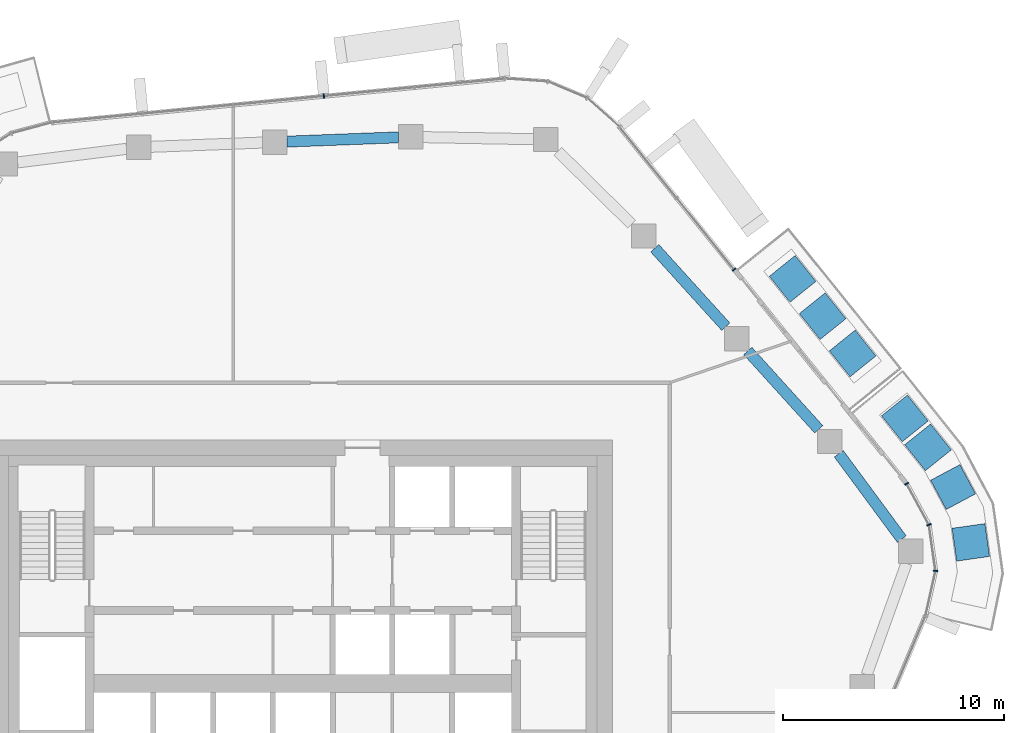
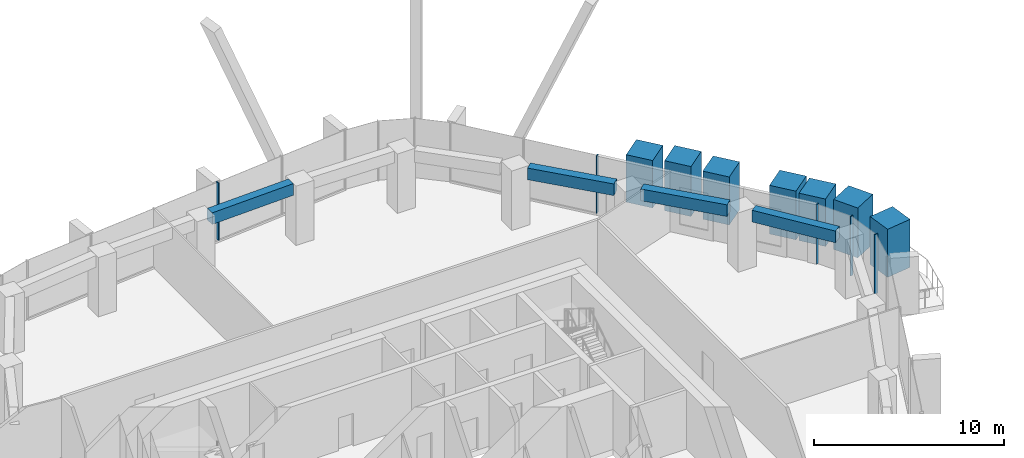
# One storey, part 8 of 20: 12 members, 4 beams, 3 elements without a shape of their own.
"""IFC4 building model written with IfcOpenShell, lengths in metres."""

from ifc_helpers import new_model, si_unit, direction, frame, origin, origin_2d, place, context, subcontext, project, spatial, rectangle, extrude, material, layer, layer_set, material_profile, profile_set, type_object, element, aggregate, save


model = new_model("IFC4")

# Units and contexts
model_context = context("Model", 3, precision=1e-05, world=origin(), true_north=direction((0.0, 1.0)))
body_context = subcontext(model_context, "Body", "Model", "MODEL_VIEW")
ifc_project = project(units=[si_unit("LENGTHUNIT", "METRE"), si_unit("AREAUNIT", "SQUARE_METRE"), si_unit("VOLUMEUNIT", "CUBIC_METRE"), si_unit("PLANEANGLEUNIT", "RADIAN"), si_unit("MASSUNIT", "GRAM", prefix="KILO")], contexts=[model_context])

# Site, building, storey
site_placement = place(None, origin())
site = spatial("IfcSite", under=ifc_project, at=site_placement, CompositionType="ELEMENT")
building_placement = place(site_placement, origin())
building = spatial("IfcBuilding", under=site, at=building_placement, Name="Dongbaek Canopy Tower", CompositionType="ELEMENT")
storey_placement = place(building_placement, frame((0.0, 0.0, 253.800048828125)))
storey = spatial("IfcBuildingStorey", under=building, at=storey_placement, Name="L53", CompositionType="ELEMENT", Elevation=253.800048828125)

# Curtain wall, members
ifc_material_1 = material(Name="Aluminium 6063-T6 pale anodised", Category="aluminium")
ifc_layer = layer(ifc_material_1, 0.199951171875)
ifc_layer_set = layer_set([ifc_layer], Name="CW-1 unitised tower curtain wall")
curtain_wall_type = type_object("IfcCurtainWallType", Name="CW-1 unitised tower curtain wall", PredefinedType="NOTDEFINED", material=ifc_layer_set)
curtain_wall_1_placement = place(storey_placement, origin())
curtain_wall_1 = element("IfcCurtainWall", 1, at=curtain_wall_1_placement, inside=storey, type_object=curtain_wall_type, Name="CW-1 curtain wall K0.1", PredefinedType="NOTDEFINED")
ifc_material_2 = material(Name="Aluminium 6063-T6 pale anodised", Category="aluminium")
ifc_material_profile_1 = material_profile(ifc_material_2, rectangle(XDim=0.199951171875, YDim=0.06005859375, at=origin_2d()), Name="CW-1 mullion 60 x 200")
ifc_profile_set_1 = profile_set([ifc_material_profile_1], Name="Aluminium 6063-T6 pale anodised")
member_type_1 = type_object("IfcMemberType", Name="CW-1 mullion 60 x 200", PredefinedType="MULLION", material=ifc_profile_set_1)
member_1_placement = place(storey_placement, frame((28.6083984375, 5.092529296875, 0.0), z_axis=(0.0, 0.0, 1.0), x_axis=(0.999216876817, -0.039568081642, 0.0)))
member_1 = element("IfcMember", 2, at=member_1_placement, type_object=member_type_1, Name="CW-1 mullion K0.1.2", PredefinedType="MULLION", context=body_context, shape_type="SweptSolid", body=[
    extrude(rectangle(XDim=0.199951171875, YDim=0.06005859375, at=origin_2d()), origin(), (0.0, 0.0, 1.0), 3.820068359375),
])
member_2_placement = place(storey_placement, frame((28.315673828125, 7.175537109375, 0.0), z_axis=(0.0, 0.0, 1.0), x_axis=(0.949557837382, 0.313591953765, 0.0)))
member_2 = element("IfcMember", 3, at=member_2_placement, type_object=member_type_1, Name="CW-1 mullion K0.1.3", PredefinedType="MULLION", context=body_context, shape_type="SweptSolid", body=[
    extrude(rectangle(XDim=0.199951171875, YDim=0.06005859375, at=origin_2d()), origin(), (0.0, 0.0, 1.0), 3.820068359375),
])
member_3_placement = place(storey_placement, frame((27.305908203125, 9.031494140625, 0.0), z_axis=(0.0, 0.0, 1.0), x_axis=(0.878420510508, 0.477888487745, 0.0)))
member_3 = element("IfcMember", 4, at=member_3_placement, type_object=member_type_1, Name="CW-1 mullion K0.1.4", PredefinedType="MULLION", context=body_context, shape_type="SweptSolid", body=[
    extrude(rectangle(XDim=0.199951171875, YDim=0.06005859375, at=origin_2d()), origin(), (0.0, 0.0, 1.0), 3.820068359375),
])
aggregate(curtain_wall_1, [member_1, member_2, member_3])

# Curtain wall, member
curtain_wall_2_placement = place(storey_placement, origin())
curtain_wall_2 = element("IfcCurtainWall", 5, at=curtain_wall_2_placement, inside=storey, type_object=curtain_wall_type, Name="CW-1 curtain wall F0.1", PredefinedType="NOTDEFINED")
member_4_placement = place(storey_placement, frame((19.51318359375, 18.717041015625, 0.119873046875), z_axis=(0.0, 0.0, 1.0), x_axis=(0.779126406475, 0.626866846096, 0.0)))
member_4 = element("IfcMember", 6, at=member_4_placement, type_object=member_type_1, Name="CW-1 mullion F0.1.1", PredefinedType="MULLION", context=body_context, shape_type="SweptSolid", body=[
    extrude(rectangle(XDim=0.199951171875, YDim=0.06005859375, at=origin_2d()), origin(), (0.0, 0.0, 1.0), 3.7001953125),
])
aggregate(curtain_wall_2, [member_4])

curtain_wall_3_placement = place(storey_placement, origin())
curtain_wall_3 = element("IfcCurtainWall", 7, at=curtain_wall_3_placement, inside=storey, type_object=curtain_wall_type, Name="CW-1 curtain wall F1.1", PredefinedType="NOTDEFINED")
member_5_placement = place(storey_placement, frame((0.955078125, 26.55859375, 0.119873046875), z_axis=(0.0, 0.0, 1.0), x_axis=(-0.096505718384, 0.995332430055, 0.0)))
member_5 = element("IfcMember", 8, at=member_5_placement, type_object=member_type_1, Name="CW-1 mullion F1.1.3", PredefinedType="MULLION", context=body_context, shape_type="SweptSolid", body=[
    extrude(rectangle(XDim=0.199951171875, YDim=0.06005859375, at=origin_2d()), origin(), (0.0, 0.0, 1.0), 3.7001953125),
])
aggregate(curtain_wall_3, [member_5])

# Beams
ifc_material_3 = material(Name="Concrete C70", Category="concrete")
ifc_material_profile_2 = material_profile(ifc_material_3, rectangle(XDim=0.5, YDim=0.75, at=origin_2d()), Name="RC EDGE BEAM 500x750 C70")
ifc_profile_set_2 = profile_set([ifc_material_profile_2], Name="Concrete C70")
beam_type = type_object("IfcBeamType", Name="RC EDGE BEAM 500x750 C70", PredefinedType="BEAM", material=ifc_profile_set_2)
beam_1_placement = place(storey_placement, frame((-0.716064453125, 24.5, 3.445068359375), z_axis=(0.999269359521, 0.038219721647, 0.0), x_axis=(-0.038219721647, 0.999269359521, 0.0)))
element("IfcBeam", 9, at=beam_1_placement, inside=storey, type_object=beam_type, Name="EDGEBEAM:L53:15", PredefinedType="BEAM", context=body_context, shape_type="SweptSolid", body=[
    extrude(rectangle(XDim=0.5, YDim=0.75, at=origin_2d()), origin(), (0.0, 0.0, 1.0), 5.052734375),
])
beam_2_placement = place(storey_placement, frame((15.916015625, 19.678955078125, 3.445068359375), z_axis=(0.671330225436, -0.741158369322, 0.0), x_axis=(0.741158369322, 0.671330225436, 0.0)))
element("IfcBeam", 10, at=beam_2_placement, inside=storey, type_object=beam_type, Name="EDGEBEAM:L53:18", PredefinedType="BEAM", context=body_context, shape_type="SweptSolid", body=[
    extrude(rectangle(XDim=0.5, YDim=0.75, at=origin_2d()), origin(), (0.0, 0.0, 1.0), 4.782958984375),
])
beam_3_placement = place(storey_placement, frame((20.123046875, 15.033935546875, 3.445068359375), z_axis=(0.671218045362, -0.741259964911, 0.0), x_axis=(0.741259964911, 0.671218045362, 0.0)))
element("IfcBeam", 11, at=beam_3_placement, inside=storey, type_object=beam_type, Name="EDGEBEAM:L53:19", PredefinedType="BEAM", context=body_context, shape_type="SweptSolid", body=[
    extrude(rectangle(XDim=0.5, YDim=0.75, at=origin_2d()), origin(), (0.0, 0.0, 1.0), 4.7822265625),
])
beam_4_placement = place(storey_placement, frame((24.23681640625, 10.388916015625, 3.445068359375), z_axis=(0.593714292615, -0.804675921564, 0.0), x_axis=(0.804675921564, 0.593714292615, 0.0)))
element("IfcBeam", 12, at=beam_4_placement, inside=storey, type_object=beam_type, Name="EDGEBEAM:L53:20", PredefinedType="BEAM", context=body_context, shape_type="SweptSolid", body=[
    extrude(rectangle(XDim=0.5, YDim=0.75, at=origin_2d()), origin(), (0.0, 0.0, 1.0), 4.79931640625),
])

# Members
ifc_material_4 = material(Name="Concrete C40/50 planter mass with planting", Category="concrete")
ifc_material_profile_3 = material_profile(ifc_material_4, rectangle(XDim=1.5, YDim=1.5, at=origin_2d()), Name="Terrace PLANTER shrub mass 1500 x 1500")
ifc_profile_set_3 = profile_set([ifc_material_profile_3], Name="Concrete C40/50 planter mass with planting")
member_type_2 = type_object("IfcMemberType", Name="Terrace PLANTER shrub mass 1500 x 1500", PredefinedType="USERDEFINED", material=ifc_profile_set_3)
member_6_placement = place(storey_placement, frame((24.864013671875, 14.921875, 0.419921875), z_axis=(0.0, 0.0, 1.0), x_axis=(0.779126406475, 0.626866846096, 0.0)))
element("IfcMember", 13, at=member_6_placement, inside=storey, type_object=member_type_2, Name="Planter shrubs L53 1.1", ObjectType="PLANTER", PredefinedType="USERDEFINED", context=body_context, shape_type="SweptSolid", body=[
    extrude(rectangle(XDim=1.5, YDim=1.5, at=origin_2d()), origin(), (0.0, 0.0, 1.0), 3.090087890625),
])
member_7_placement = place(storey_placement, frame((23.50732421875, 16.6083984375, 0.419921875), z_axis=(0.0, 0.0, 1.0), x_axis=(0.779126406475, 0.626866846096, 0.0)))
element("IfcMember", 14, at=member_7_placement, inside=storey, type_object=member_type_2, Name="Planter shrubs L53 1.2", ObjectType="PLANTER", PredefinedType="USERDEFINED", context=body_context, shape_type="SweptSolid", body=[
    extrude(rectangle(XDim=1.5, YDim=1.5, at=origin_2d()), origin(), (0.0, 0.0, 1.0), 3.2099609375),
])
member_8_placement = place(storey_placement, frame((22.150390625, 18.294677734375, 0.419921875), z_axis=(0.0, 0.0, 1.0), x_axis=(0.779126406475, 0.626866846096, 0.0)))
element("IfcMember", 15, at=member_8_placement, inside=storey, type_object=member_type_2, Name="Planter shrubs L53 1.3", ObjectType="PLANTER", PredefinedType="USERDEFINED", context=body_context, shape_type="SweptSolid", body=[
    extrude(rectangle(XDim=1.5, YDim=1.5, at=origin_2d()), origin(), (0.0, 0.0, 1.0), 3.050048828125),
])
member_9_placement = place(storey_placement, frame((30.207763671875, 6.37939453125, 0.419921875), z_axis=(0.0, 0.0, 1.0), x_axis=(0.990258160445, 0.139243583955, 0.0)))
element("IfcMember", 16, at=member_9_placement, inside=storey, type_object=member_type_2, Name="Planter shrubs L53 5.1", ObjectType="PLANTER", PredefinedType="USERDEFINED", context=body_context, shape_type="SweptSolid", body=[
    extrude(rectangle(XDim=1.5, YDim=1.5, at=origin_2d()), origin(), (0.0, 0.0, 1.0), 3.090087890625),
])
member_10_placement = place(storey_placement, frame((29.40625, 8.880859375, 0.419921875), z_axis=(0.0, 0.0, 1.0), x_axis=(0.882135637681, 0.470995452986, 0.0)))
element("IfcMember", 17, at=member_10_placement, inside=storey, type_object=member_type_2, Name="Planter shrubs L53 5.2", ObjectType="PLANTER", PredefinedType="USERDEFINED", context=body_context, shape_type="SweptSolid", body=[
    extrude(rectangle(XDim=1.5, YDim=1.5, at=origin_2d()), origin(), (0.0, 0.0, 1.0), 3.2099609375),
])
member_11_placement = place(storey_placement, frame((28.2724609375, 10.677490234375, 0.419921875), z_axis=(0.0, 0.0, 1.0), x_axis=(0.780395160614, 0.625286648898, 0.0)))
element("IfcMember", 18, at=member_11_placement, inside=storey, type_object=member_type_2, Name="Planter shrubs L53 5.3", ObjectType="PLANTER", PredefinedType="USERDEFINED", context=body_context, shape_type="SweptSolid", body=[
    extrude(rectangle(XDim=1.5, YDim=1.5, at=origin_2d()), origin(), (0.0, 0.0, 1.0), 3.050048828125),
])
member_12_placement = place(storey_placement, frame((27.2255859375, 11.984130859375, 0.419921875), z_axis=(0.0, 0.0, 1.0), x_axis=(0.780395160614, 0.625286648898, 0.0)))
element("IfcMember", 19, at=member_12_placement, inside=storey, type_object=member_type_2, Name="Planter shrubs L53 5.4", ObjectType="PLANTER", PredefinedType="USERDEFINED", context=body_context, shape_type="SweptSolid", body=[
    extrude(rectangle(XDim=1.5, YDim=1.5, at=origin_2d()), origin(), (0.0, 0.0, 1.0), 3.130126953125),
])

save(model, "model.ifc")
